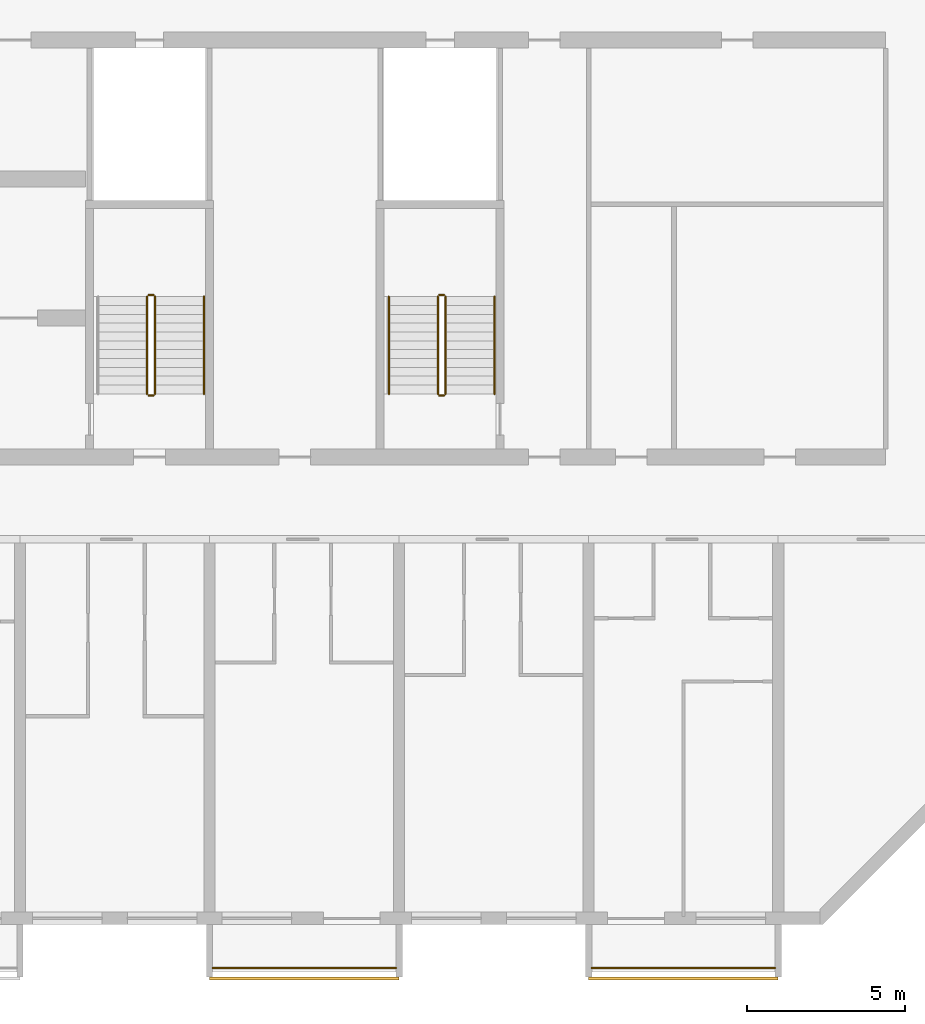
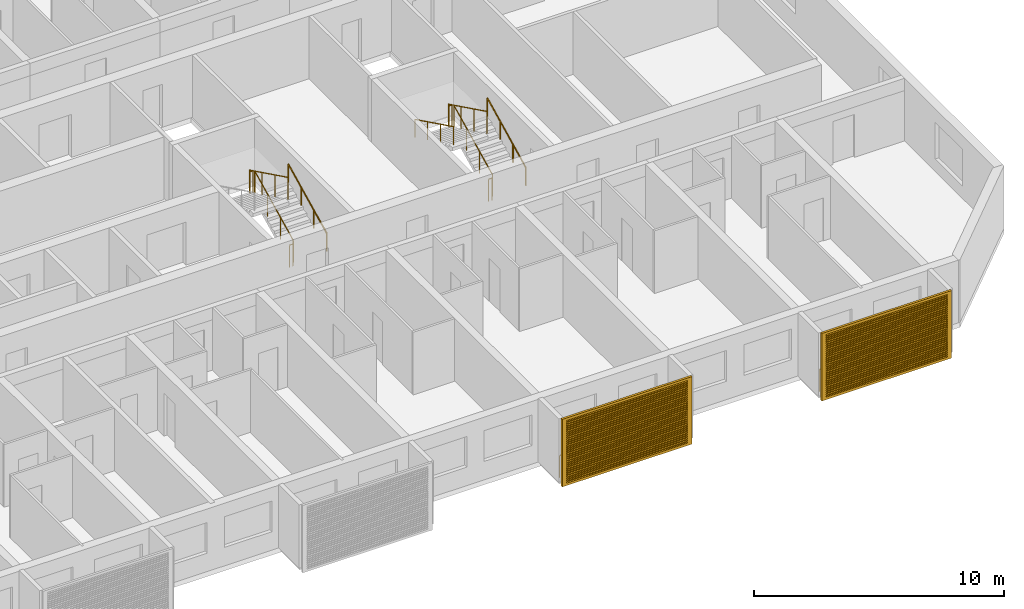
# One storey, part 23 of 27: 13 railings, 2 shading devices.
"""IFC4 building model written with IfcOpenShell, lengths in metres."""

import ifcopenshell
import ifcopenshell.guid

model = None  # the IFC model being written
_history = None  # IfcOwnerHistory: only IFC2X3 demands one
_inside = {}  # id of a spatial element -> (the spatial element, [elements in it])
_under = {}  # id of a project, library or spatial element -> (it, [spatial elements below it])
_declared = {}  # id of a project -> (the project, [libraries it declares])
_typed = {}  # id of a type object -> (the type object, [elements of that type])
_made_of = {}  # id of a material, layer set ... -> (it, [elements and type objects made of it])


def new_model(schema):
    """Start an empty IFC model of exactly this schema.

    Asked for "IFC4X3", IfcOpenShell would pick the latest addendum, in which some entities
    have other attributes; the version numbers below select the first issue.
    IFC2X3 requires an IfcOwnerHistory on every rooted entity: one is made here for all.
    """
    global model, _history
    if schema == "IFC4X3":
        model = ifcopenshell.file(schema_version=(4, 3, 0, 0))
    else:
        model = ifcopenshell.file(schema=schema)
    _inside.clear()
    _under.clear()
    _declared.clear()
    _typed.clear()
    _made_of.clear()
    _history = None
    if model.schema == "IFC2X3":
        org = make("IfcOrganization", Name="unknown")
        user = make(
            "IfcPersonAndOrganization",
            ThePerson=make("IfcPerson", FamilyName="unknown"),
            TheOrganization=org,
        )
        app = make(
            "IfcApplication",
            ApplicationDeveloper=org,
            Version="unknown",
            ApplicationFullName="unknown",
            ApplicationIdentifier="unknown",
        )
        _history = make(
            "IfcOwnerHistory",
            OwningUser=user,
            OwningApplication=app,
            ChangeAction="ADDED",
            CreationDate=0,
        )
    return model


def make(cls, **values):
    """One entity of the class cls with the attributes given. An attribute that is None is left unset."""
    return model.create_entity(
        cls, **{name: value for name, value in values.items() if value is not None}
    )


def rooted(cls, **values):
    """An entity with a GlobalId (a new one), such as an element, a storey or a relation."""
    return make(cls, GlobalId=ifcopenshell.guid.new(), OwnerHistory=_history, **values)


def si_unit(unit_type, name, prefix=None):
    """IfcSIUnit, for example si_unit("LENGTHUNIT", "METRE", prefix="MILLI")."""
    return make("IfcSIUnit", UnitType=unit_type, Prefix=prefix, Name=name)


def assignment(units):
    """IfcUnitAssignment: the units of a project."""
    return None if units is None else make("IfcUnitAssignment", Units=units)


def point(xyz):
    """IfcCartesianPoint."""
    return None if xyz is None else make("IfcCartesianPoint", Coordinates=xyz)


def direction(xyz):
    """IfcDirection."""
    return None if xyz is None else make("IfcDirection", DirectionRatios=xyz)


def frame(location, z_axis=None, x_axis=None):
    """IfcAxis2Placement3D, a coordinate frame: its origin and axes. An axis left out is left unset."""
    return make(
        "IfcAxis2Placement3D",
        Location=point(location),
        Axis=direction(z_axis),
        RefDirection=direction(x_axis),
    )


def frame_2d(location, x_axis=None):
    """IfcAxis2Placement2D, a coordinate frame in the plane: its origin and x axis."""
    return make(
        "IfcAxis2Placement2D", Location=point(location), RefDirection=direction(x_axis)
    )


def origin():
    """The frame at (0, 0, 0) with its axes left unset."""
    return frame((0.0, 0.0, 0.0))


def origin_2d():
    """The frame at (0, 0) in the plane with its x axis left unset."""
    return frame_2d((0.0, 0.0))


def place(relative_to, where):
    """IfcLocalPlacement: puts the frame where relative to a parent placement (None: the world)."""
    return make(
        "IfcLocalPlacement", PlacementRelTo=relative_to, RelativePlacement=where
    )


def context(
    kind, dimensions, precision=None, world=None, true_north=None, identifier=None
):
    """IfcGeometricRepresentationContext, for example the 3D "Model" context."""
    return make(
        "IfcGeometricRepresentationContext",
        ContextIdentifier=identifier,
        ContextType=kind,
        CoordinateSpaceDimension=dimensions,
        Precision=precision,
        WorldCoordinateSystem=world,
        TrueNorth=true_north,
    )


def subcontext(parent, identifier, kind, view, scale=None):
    """IfcGeometricRepresentationSubContext, for example "Body" below "Model"."""
    return make(
        "IfcGeometricRepresentationSubContext",
        ContextIdentifier=identifier,
        ContextType=kind,
        ParentContext=parent,
        TargetScale=scale,
        TargetView=view,
    )


def project(units=None, contexts=None):
    """IfcProject with its units and contexts."""
    return rooted(
        "IfcProject",
        Name="project",
        RepresentationContexts=contexts,
        UnitsInContext=assignment(units),
    )


def spatial(cls, under=None, at=None, **own):
    """A site, building, storey or space (cls), placed at a placement, below another one or the project."""
    s = rooted(cls, ObjectPlacement=at, **own)
    if under is not None:
        _under.setdefault(under.id(), (under, []))[1].append(s)
    return s


def polyline(points):
    """IfcPolyline through the points."""
    return make("IfcPolyline", Points=[point(p) for p in points])


def profile(cls, at=None, kind="AREA", **sizes):
    """A parametric profile (cls). Its sizes go by their IFC names, for example OverallWidth=200.0."""
    return make(cls, ProfileType=kind, Position=at, **sizes)


def circle(**sizes):
    """IfcCircleProfileDef."""
    return profile("IfcCircleProfileDef", **sizes)


def outline(outer, holes=None, kind="AREA"):
    """IfcArbitraryClosedProfileDef: a profile drawn as a closed curve; with holes, ...WithVoids."""
    if holes is None:
        return make("IfcArbitraryClosedProfileDef", ProfileType=kind, OuterCurve=outer)
    return make(
        "IfcArbitraryProfileDefWithVoids",
        ProfileType=kind,
        OuterCurve=outer,
        InnerCurves=holes,
    )


def extrude(swept, where, along, depth):
    """IfcExtrudedAreaSolid: the profile swept, set in the frame where, extruded along a direction by depth."""
    return make(
        "IfcExtrudedAreaSolid",
        SweptArea=swept,
        Position=where,
        ExtrudedDirection=direction(along),
        Depth=depth,
    )


def shape(context_of_items, identifier, shape_type, items):
    """IfcShapeRepresentation: the items that make up one representation, for example the "Body"."""
    return make(
        "IfcShapeRepresentation",
        ContextOfItems=context_of_items,
        RepresentationIdentifier=identifier,
        RepresentationType=shape_type,
        Items=items,
    )


def source(mapping_origin, context_of_items, identifier, shape_type, items):
    """IfcRepresentationMap: a shape defined once, which mapped items show again and again."""
    return make(
        "IfcRepresentationMap",
        MappingOrigin=mapping_origin,
        MappedRepresentation=shape(context_of_items, identifier, shape_type, items),
    )


def transform(
    local_origin,
    x_axis=None,
    y_axis=None,
    z_axis=None,
    scale=None,
    scale2=None,
    scale3=None,
    uniform=True,
):
    """IfcCartesianTransformationOperator3D, or its non-uniform kind. x_axis, y_axis, z_axis: its Axis1, 2, 3."""
    if uniform:
        return make(
            "IfcCartesianTransformationOperator3D",
            Axis1=direction(x_axis),
            Axis2=direction(y_axis),
            LocalOrigin=point(local_origin),
            Scale=scale,
            Axis3=direction(z_axis),
        )
    return make(
        "IfcCartesianTransformationOperator3DnonUniform",
        Axis1=direction(x_axis),
        Axis2=direction(y_axis),
        LocalOrigin=point(local_origin),
        Scale=scale,
        Axis3=direction(z_axis),
        Scale2=scale2,
        Scale3=scale3,
    )


def mapped(mapping_source, mapping_target):
    """IfcMappedItem: shows the shape of a source again, moved by a transform."""
    return make(
        "IfcMappedItem", MappingSource=mapping_source, MappingTarget=mapping_target
    )


def material(Name=None, Category=None):
    """IfcMaterial."""
    return make("IfcMaterial", Name=Name, Category=Category)


def material_profile(
    of_material, cross_section, Name=None, Category=None, Priority=None
):
    """IfcMaterialProfile: a cross section and its material."""
    return make(
        "IfcMaterialProfile",
        Name=Name,
        Material=of_material,
        Profile=cross_section,
        Priority=Priority,
        Category=Category,
    )


def profile_set(profiles, Name=None, composite=None):
    """IfcMaterialProfileSet."""
    return make(
        "IfcMaterialProfileSet",
        Name=Name,
        MaterialProfiles=profiles,
        CompositeProfile=composite,
    )


def made_of(thing, what):
    """Note that an element or type object is made of a material, layer set ...; save() writes the relation."""
    if what is not None:
        _made_of.setdefault(what.id(), (what, []))[1].append(thing)
    return thing


def type_object(cls, material=None, **own):
    """A type object (cls), such as IfcWallType, which elements share."""
    return made_of(rooted(cls, **own), material)


def element(
    cls,
    number,
    at=None,
    inside=None,
    cuts=None,
    type_object=None,
    material=None,
    context=None,
    identifier="Body",
    shape_type=None,
    held_by="IfcProductDefinitionShape",
    body=None,
    shapes=None,
    **own,
):
    """One element of the class cls, such as IfcWall. Its Tag is "e" and its number.

    at: its placement. inside: the storey or other place that contains it. cuts: it is an
    opening in that element (IfcRelVoidsElement). A single representation is given by context,
    identifier, shape_type and body (its items); several are given by shapes. held_by: the class
    of the entity that holds the representations. save() writes the other relations.
    """
    e = rooted(cls, Tag="e%d" % number, ObjectPlacement=at, **own)
    if body is not None:
        shapes = [shape(context, identifier, shape_type, body)]
    if shapes is not None:
        e.Representation = make(held_by, Representations=shapes)
    if inside is not None:
        _inside.setdefault(inside.id(), (inside, []))[1].append(e)
    if cuts is not None:
        rooted(
            "IfcRelVoidsElement", RelatingBuildingElement=cuts, RelatedOpeningElement=e
        )
    if type_object is not None:
        _typed.setdefault(type_object.id(), (type_object, []))[1].append(e)
    return made_of(e, material)


def aggregate(whole, parts):
    """IfcRelAggregates: a whole, such as a stair, and the parts it consists of."""
    return rooted("IfcRelAggregates", RelatingObject=whole, RelatedObjects=parts)


def save(model, path):
    """Write the relations noted so far, then the file.

    IfcRelAggregates (storeys below a building ...), IfcRelContainedInSpatialStructure (elements
    in a storey), IfcRelDefinesByType, IfcRelAssociatesMaterial and IfcRelDeclares: one each for
    every whole, place, type object, material and project.
    """
    for whole, parts in _under.values():
        aggregate(whole, parts)
    for where, things in _inside.values():
        rooted(
            "IfcRelContainedInSpatialStructure",
            RelatedElements=things,
            RelatingStructure=where,
        )
    for kind, things in _typed.values():
        rooted("IfcRelDefinesByType", RelatedObjects=things, RelatingType=kind)
    for what, things in _made_of.values():
        rooted("IfcRelAssociatesMaterial", RelatedObjects=things, RelatingMaterial=what)
    for by, libraries in _declared.values():
        rooted("IfcRelDeclares", RelatingContext=by, RelatedDefinitions=libraries)
    model.write(path)


model = new_model("IFC4")

# Units and contexts
model_context = context("Model", 3, precision=1e-05, world=origin(), true_north=direction((0.0, 1.0)))
body_context = subcontext(model_context, "Body", "Model", "MODEL_VIEW")
ifc_project = project(units=[si_unit("LENGTHUNIT", "METRE"), si_unit("AREAUNIT", "SQUARE_METRE"), si_unit("VOLUMEUNIT", "CUBIC_METRE"), si_unit("PLANEANGLEUNIT", "RADIAN"), si_unit("MASSUNIT", "GRAM", prefix="KILO")], contexts=[model_context])

# Site, building, storey
site_placement = place(None, origin())
site = spatial("IfcSite", under=ifc_project, at=site_placement, CompositionType="ELEMENT")
building_placement = place(site_placement, origin())
building = spatial("IfcBuilding", under=site, at=building_placement, Name="Poui Terraces", CompositionType="ELEMENT")
storey_placement = place(building_placement, frame((0.0, 0.0, 92.699951171875)))
storey = spatial("IfcBuildingStorey", under=building, at=storey_placement, Name="L25", CompositionType="ELEMENT", Elevation=92.699951171875)

# Railings
ifc_material_1 = material(Name="Painted steel fretwork", Category="steel")
railing_type_1 = type_object("IfcRailingType", Name="BALCONY GUARD 1100", PredefinedType="GUARDRAIL", material=ifc_material_1)
for number, where, name in (
    (1, (72.10009765625, -1.570068359375, 0.0), "BALCONY GUARD"),
    (2, (84.10009765625, -1.570068359375, 0.0), "BALCONY GUARD"),
):
    element("IfcRailing", number, at=place(storey_placement, frame(where)), inside=storey, type_object=railing_type_1, Name=name, PredefinedType="GUARDRAIL", context=body_context, shape_type="SweptSolid", body=[
        extrude(circle(Radius=0.02392578125, at=origin_2d()), frame((0.0, 0.0, 1.076171875), z_axis=(1.0, 0.0, 0.0), x_axis=(0.0, 1.0, 0.0)), (0.0, 0.0, 1.0), 5.7998046875),
        extrude(circle(Radius=0.02099609375, at=origin_2d()), origin(), (0.0, 0.0, 1.0), 1.052001953125),
        extrude(circle(Radius=0.02099609375, at=origin_2d()), frame((0.966552734375, 0.0, 0.0)), (0.0, 0.0, 1.0), 1.052001953125),
        extrude(circle(Radius=0.02099609375, at=origin_2d()), frame((1.933349609375, 0.0, 0.0)), (0.0, 0.0, 1.0), 1.052001953125),
        extrude(circle(Radius=0.02099609375, at=origin_2d()), frame((2.89990234375, 0.0, 0.0)), (0.0, 0.0, 1.0), 1.052001953125),
        extrude(circle(Radius=0.02099609375, at=origin_2d()), frame((3.866455078125, 0.0, 0.0)), (0.0, 0.0, 1.0), 1.052001953125),
        extrude(circle(Radius=0.02099609375, at=origin_2d()), frame((4.833251953125, 0.0, 0.0)), (0.0, 0.0, 1.0), 1.052001953125),
        extrude(circle(Radius=0.02099609375, at=origin_2d()), frame((5.7998046875, 0.0, 0.0)), (0.0, 0.0, 1.0), 1.052001953125),
    ])
ifc_material_2 = material(Name="Galvanised steel balustrade", Category="steel")
railing_type_2 = type_object("IfcRailingType", Name="STAIR GUARD 1100", PredefinedType="GUARDRAIL", material=ifc_material_2)
railing_1_placement = place(storey_placement, frame((70.27490234375, 16.60009765625, 0.137451171875)))
element("IfcRailing", 3, at=railing_1_placement, inside=storey, type_object=railing_type_2, Name="L25 ST-CE stair guard 1", PredefinedType="GUARDRAIL", context=body_context, shape_type="SweptSolid", body=[
    extrude(circle(Radius=0.02392578125, at=origin_2d()), frame((0.0, 0.0, 1.076171875), z_axis=(0.0, 0.897578036475, 0.440855609512), x_axis=(-1.0, 0.0, 0.0)), (0.0, 0.0, 1.0), 3.43115234375),
    extrude(circle(Radius=0.02099609375, at=origin_2d()), origin(), (0.0, 0.0, 1.0), 1.052001953125),
    extrude(circle(Radius=0.02099609375, at=origin_2d()), frame((0.0, 1.026611328125, 0.504150390625)), (0.0, 0.0, 1.0), 1.052001953125),
    extrude(circle(Radius=0.02099609375, at=origin_2d()), frame((0.0, 2.05322265625, 1.008544921875)), (0.0, 0.0, 1.0), 1.052001953125),
    extrude(circle(Radius=0.02099609375, at=origin_2d()), frame((0.0, 3.079833984375, 1.5126953125)), (0.0, 0.0, 1.0), 1.052001953125),
])
railing_2_placement = place(storey_placement, frame((70.22509765625, 19.72998046875, 1.650146484375)))
element("IfcRailing", 4, at=railing_2_placement, inside=storey, type_object=railing_type_2, Name="L25 ST-CE stair guard 2", PredefinedType="GUARDRAIL", context=body_context, shape_type="SweptSolid", body=[
    extrude(circle(Radius=0.02392578125, at=origin_2d()), frame((0.0, 0.0, 1.076171875), z_axis=(-1.0, 0.0, 0.0), x_axis=(0.0, -1.0, 0.0)), (0.0, 0.0, 1.0), 0.150146484375),
    extrude(circle(Radius=0.02099609375, at=origin_2d()), origin(), (0.0, 0.0, 1.0), 1.052001953125),
    extrude(circle(Radius=0.02099609375, at=origin_2d()), frame((-0.150146484375, 0.0, 0.0)), (0.0, 0.0, 1.0), 1.052001953125),
])
railing_3_placement = place(storey_placement, frame((70.02490234375, 19.679931640625, 1.78759765625)))
element("IfcRailing", 5, at=railing_3_placement, inside=storey, type_object=railing_type_2, Name="L25 ST-CE stair guard 3", PredefinedType="GUARDRAIL", context=body_context, shape_type="SweptSolid", body=[
    extrude(circle(Radius=0.02392578125, at=origin_2d()), frame((0.0, 0.0, 1.076171875), z_axis=(0.0, -0.897606190399, 0.440798283751), x_axis=(1.0, 0.0, 0.0)), (0.0, 0.0, 1.0), 3.43115234375),
    extrude(circle(Radius=0.02099609375, at=origin_2d()), origin(), (0.0, 0.0, 1.0), 1.052001953125),
    extrude(circle(Radius=0.02099609375, at=origin_2d()), frame((0.0, -1.026611328125, 0.504150390625)), (0.0, 0.0, 1.0), 1.052001953125),
    extrude(circle(Radius=0.02099609375, at=origin_2d()), frame((0.0, -2.05322265625, 1.00830078125)), (0.0, 0.0, 1.0), 1.052001953125),
    extrude(circle(Radius=0.02099609375, at=origin_2d()), frame((0.0, -3.079833984375, 1.512451171875)), (0.0, 0.0, 1.0), 1.052001953125),
])
railing_4_placement = place(storey_placement, frame((70.22509765625, 16.550048828125, 0.0)))
element("IfcRailing", 6, at=railing_4_placement, inside=storey, type_object=railing_type_2, Name="L25 ST-CE stair guard 4", PredefinedType="GUARDRAIL", context=body_context, shape_type="SweptSolid", body=[
    extrude(circle(Radius=0.02392578125, at=origin_2d()), frame((0.0, 0.0, 1.076171875), z_axis=(-1.0, 0.0, 0.0), x_axis=(0.0, -1.0, 0.0)), (0.0, 0.0, 1.0), 0.150146484375),
    extrude(circle(Radius=0.02099609375, at=origin_2d()), origin(), (0.0, 0.0, 1.0), 1.052001953125),
    extrude(circle(Radius=0.02099609375, at=origin_2d()), frame((-0.150146484375, 0.0, 0.0)), (0.0, 0.0, 1.0), 1.052001953125),
])
railing_5_placement = place(storey_placement, frame((79.47509765625, 16.60009765625, 0.137451171875)))
element("IfcRailing", 7, at=railing_5_placement, inside=storey, type_object=railing_type_2, Name="L25 ST-E stair guard 1", PredefinedType="GUARDRAIL", context=body_context, shape_type="SweptSolid", body=[
    extrude(circle(Radius=0.02392578125, at=origin_2d()), frame((0.0, 0.0, 1.076171875), z_axis=(0.0, 0.897578036475, 0.440855609512), x_axis=(-1.0, 0.0, 0.0)), (0.0, 0.0, 1.0), 3.43115234375),
    extrude(circle(Radius=0.02099609375, at=origin_2d()), origin(), (0.0, 0.0, 1.0), 1.052001953125),
    extrude(circle(Radius=0.02099609375, at=origin_2d()), frame((0.0, 1.026611328125, 0.504150390625)), (0.0, 0.0, 1.0), 1.052001953125),
    extrude(circle(Radius=0.02099609375, at=origin_2d()), frame((0.0, 2.05322265625, 1.008544921875)), (0.0, 0.0, 1.0), 1.052001953125),
    extrude(circle(Radius=0.02099609375, at=origin_2d()), frame((0.0, 3.079833984375, 1.5126953125)), (0.0, 0.0, 1.0), 1.052001953125),
])
railing_6_placement = place(storey_placement, frame((79.425048828125, 19.72998046875, 1.650146484375)))
element("IfcRailing", 8, at=railing_6_placement, inside=storey, type_object=railing_type_2, Name="L25 ST-E stair guard 2", PredefinedType="GUARDRAIL", context=body_context, shape_type="SweptSolid", body=[
    extrude(circle(Radius=0.02392578125, at=origin_2d()), frame((0.0, 0.0, 1.076171875), z_axis=(-1.0, 0.0, 0.0), x_axis=(0.0, -1.0, 0.0)), (0.0, 0.0, 1.0), 0.150146484375),
    extrude(circle(Radius=0.02099609375, at=origin_2d()), origin(), (0.0, 0.0, 1.0), 1.052001953125),
    extrude(circle(Radius=0.02099609375, at=origin_2d()), frame((-0.150146484375, 0.0, 0.0)), (0.0, 0.0, 1.0), 1.052001953125),
])
railing_7_placement = place(storey_placement, frame((79.22509765625, 19.679931640625, 1.78759765625)))
element("IfcRailing", 9, at=railing_7_placement, inside=storey, type_object=railing_type_2, Name="L25 ST-E stair guard 3", PredefinedType="GUARDRAIL", context=body_context, shape_type="SweptSolid", body=[
    extrude(circle(Radius=0.02392578125, at=origin_2d()), frame((0.0, 0.0, 1.076171875), z_axis=(0.0, -0.897606190399, 0.440798283751), x_axis=(1.0, 0.0, 0.0)), (0.0, 0.0, 1.0), 3.43115234375),
    extrude(circle(Radius=0.02099609375, at=origin_2d()), origin(), (0.0, 0.0, 1.0), 1.052001953125),
    extrude(circle(Radius=0.02099609375, at=origin_2d()), frame((0.0, -1.026611328125, 0.504150390625)), (0.0, 0.0, 1.0), 1.052001953125),
    extrude(circle(Radius=0.02099609375, at=origin_2d()), frame((0.0, -2.05322265625, 1.00830078125)), (0.0, 0.0, 1.0), 1.052001953125),
    extrude(circle(Radius=0.02099609375, at=origin_2d()), frame((0.0, -3.079833984375, 1.512451171875)), (0.0, 0.0, 1.0), 1.052001953125),
])
railing_8_placement = place(storey_placement, frame((79.425048828125, 16.550048828125, 0.0)))
element("IfcRailing", 10, at=railing_8_placement, inside=storey, type_object=railing_type_2, Name="L25 ST-E stair guard 4", PredefinedType="GUARDRAIL", context=body_context, shape_type="SweptSolid", body=[
    extrude(circle(Radius=0.02392578125, at=origin_2d()), frame((0.0, 0.0, 1.076171875), z_axis=(-1.0, 0.0, 0.0), x_axis=(0.0, -1.0, 0.0)), (0.0, 0.0, 1.0), 0.150146484375),
    extrude(circle(Radius=0.02099609375, at=origin_2d()), origin(), (0.0, 0.0, 1.0), 1.052001953125),
    extrude(circle(Radius=0.02099609375, at=origin_2d()), frame((-0.150146484375, 0.0, 0.0)), (0.0, 0.0, 1.0), 1.052001953125),
])
ifc_material_3 = material(Name="Stainless steel handrail", Category="steel")
railing_type_3 = type_object("IfcRailingType", Name="STAIR HANDRAIL 900", PredefinedType="HANDRAIL", material=ifc_material_3)
for number, where, name in (
    (11, (71.824951171875, 16.60009765625, 0.137451171875), "L25 ST-CE stair handrail 1"),
    (12, (81.02490234375, 16.60009765625, 0.137451171875), "L25 ST-E stair handrail 1"),
):
    element("IfcRailing", number, at=place(storey_placement, frame(where)), inside=storey, type_object=railing_type_3, Name=name, PredefinedType="HANDRAIL", context=body_context, shape_type="SweptSolid", body=[
        extrude(circle(Radius=0.02392578125, at=origin_2d()), frame((0.0, 0.0, 0.8759765625), z_axis=(0.0, 0.897578036475, 0.440855609512), x_axis=(-1.0, 0.0, 0.0)), (0.0, 0.0, 1.0), 3.43115234375),
        extrude(circle(Radius=0.02099609375, at=origin_2d()), origin(), (0.0, 0.0, 1.0), 0.851806640625),
        extrude(circle(Radius=0.02099609375, at=origin_2d()), frame((0.0, 1.026611328125, 0.504150390625)), (0.0, 0.0, 1.0), 0.851806640625),
        extrude(circle(Radius=0.02099609375, at=origin_2d()), frame((0.0, 2.05322265625, 1.008544921875)), (0.0, 0.0, 1.0), 0.851806640625),
        extrude(circle(Radius=0.02099609375, at=origin_2d()), frame((0.0, 3.079833984375, 1.5126953125)), (0.0, 0.0, 1.0), 0.851806640625),
    ])
railing_9_placement = place(storey_placement, frame((77.675048828125, 19.679931640625, 1.78759765625)))
element("IfcRailing", 13, at=railing_9_placement, inside=storey, type_object=railing_type_3, Name="L25 ST-E stair handrail 2", PredefinedType="HANDRAIL", context=body_context, shape_type="SweptSolid", body=[
    extrude(circle(Radius=0.02392578125, at=origin_2d()), frame((0.0, 0.0, 0.8759765625), z_axis=(0.0, -0.897606190399, 0.440798283751), x_axis=(1.0, 0.0, 0.0)), (0.0, 0.0, 1.0), 3.43115234375),
    extrude(circle(Radius=0.02099609375, at=origin_2d()), origin(), (0.0, 0.0, 1.0), 0.851806640625),
    extrude(circle(Radius=0.02099609375, at=origin_2d()), frame((0.0, -1.026611328125, 0.504150390625)), (0.0, 0.0, 1.0), 0.851806640625),
    extrude(circle(Radius=0.02099609375, at=origin_2d()), frame((0.0, -2.05322265625, 1.00830078125)), (0.0, 0.0, 1.0), 0.851806640625),
    extrude(circle(Radius=0.02099609375, at=origin_2d()), frame((0.0, -3.079833984375, 1.512451171875)), (0.0, 0.0, 1.0), 0.851806640625),
])

# Shading devices
ifc_material_4 = material(Name="Aluminium louvre", Category="aluminium")
ifc_material_profile = material_profile(ifc_material_4, outline(polyline([(-3.0, -1.64990234375), (3.0, -1.64990234375), (3.0, 1.64990234375), (-3.0, 1.64990234375), (-3.0, -1.64990234375)]), holes=[polyline([(-2.800048828125, -1.530029296875), (2.800048828125, -1.530029296875), (2.800048828125, -1.469970703125), (-2.800048828125, -1.469970703125), (-2.800048828125, -1.530029296875)]), polyline([(-2.800048828125, -1.429931640625), (2.800048828125, -1.429931640625), (2.800048828125, -1.3701171875), (-2.800048828125, -1.3701171875), (-2.800048828125, -1.429931640625)]), polyline([(-2.800048828125, -1.330078125), (2.800048828125, -1.330078125), (2.800048828125, -1.27001953125), (-2.800048828125, -1.27001953125), (-2.800048828125, -1.330078125)]), polyline([(-2.800048828125, -1.22998046875), (2.800048828125, -1.22998046875), (2.800048828125, -1.169921875), (-2.800048828125, -1.169921875), (-2.800048828125, -1.22998046875)]), polyline([(-2.800048828125, -1.1298828125), (2.800048828125, -1.1298828125), (2.800048828125, -1.070068359375), (-2.800048828125, -1.070068359375), (-2.800048828125, -1.1298828125)]), polyline([(-2.800048828125, -1.030029296875), (2.800048828125, -1.030029296875), (2.800048828125, -0.969970703125), (-2.800048828125, -0.969970703125), (-2.800048828125, -1.030029296875)]), polyline([(-2.800048828125, -0.929931640625), (2.800048828125, -0.929931640625), (2.800048828125, -0.8701171875), (-2.800048828125, -0.8701171875), (-2.800048828125, -0.929931640625)]), polyline([(-2.800048828125, -0.830078125), (2.800048828125, -0.830078125), (2.800048828125, -0.77001953125), (-2.800048828125, -0.77001953125), (-2.800048828125, -0.830078125)]), polyline([(-2.800048828125, -0.72998046875), (2.800048828125, -0.72998046875), (2.800048828125, -0.669921875), (-2.800048828125, -0.669921875), (-2.800048828125, -0.72998046875)]), polyline([(-2.800048828125, -0.6298828125), (2.800048828125, -0.6298828125), (2.800048828125, -0.570068359375), (-2.800048828125, -0.570068359375), (-2.800048828125, -0.6298828125)]), polyline([(-2.800048828125, -0.530029296875), (2.800048828125, -0.530029296875), (2.800048828125, -0.469970703125), (-2.800048828125, -0.469970703125), (-2.800048828125, -0.530029296875)]), polyline([(-2.800048828125, -0.429931640625), (2.800048828125, -0.429931640625), (2.800048828125, -0.3701171875), (-2.800048828125, -0.3701171875), (-2.800048828125, -0.429931640625)]), polyline([(-2.800048828125, -0.330078125), (2.800048828125, -0.330078125), (2.800048828125, -0.27001953125), (-2.800048828125, -0.27001953125), (-2.800048828125, -0.330078125)]), polyline([(-2.800048828125, -0.22998046875), (2.800048828125, -0.22998046875), (2.800048828125, -0.169921875), (-2.800048828125, -0.169921875), (-2.800048828125, -0.22998046875)]), polyline([(-2.800048828125, -0.1298828125), (2.800048828125, -0.1298828125), (2.800048828125, -0.070068359375), (-2.800048828125, -0.070068359375), (-2.800048828125, -0.1298828125)]), polyline([(-2.800048828125, -0.030029296875), (2.800048828125, -0.030029296875), (2.800048828125, 0.030029296875), (-2.800048828125, 0.030029296875), (-2.800048828125, -0.030029296875)]), polyline([(-2.800048828125, 0.070068359375), (2.800048828125, 0.070068359375), (2.800048828125, 0.1298828125), (-2.800048828125, 0.1298828125), (-2.800048828125, 0.070068359375)]), polyline([(-2.800048828125, 0.169921875), (2.800048828125, 0.169921875), (2.800048828125, 0.22998046875), (-2.800048828125, 0.22998046875), (-2.800048828125, 0.169921875)]), polyline([(-2.800048828125, 0.27001953125), (2.800048828125, 0.27001953125), (2.800048828125, 0.330078125), (-2.800048828125, 0.330078125), (-2.800048828125, 0.27001953125)]), polyline([(-2.800048828125, 0.3701171875), (2.800048828125, 0.3701171875), (2.800048828125, 0.429931640625), (-2.800048828125, 0.429931640625), (-2.800048828125, 0.3701171875)]), polyline([(-2.800048828125, 0.469970703125), (2.800048828125, 0.469970703125), (2.800048828125, 0.530029296875), (-2.800048828125, 0.530029296875), (-2.800048828125, 0.469970703125)]), polyline([(-2.800048828125, 0.570068359375), (2.800048828125, 0.570068359375), (2.800048828125, 0.6298828125), (-2.800048828125, 0.6298828125), (-2.800048828125, 0.570068359375)]), polyline([(-2.800048828125, 0.669921875), (2.800048828125, 0.669921875), (2.800048828125, 0.72998046875), (-2.800048828125, 0.72998046875), (-2.800048828125, 0.669921875)]), polyline([(-2.800048828125, 0.77001953125), (2.800048828125, 0.77001953125), (2.800048828125, 0.830078125), (-2.800048828125, 0.830078125), (-2.800048828125, 0.77001953125)]), polyline([(-2.800048828125, 0.8701171875), (2.800048828125, 0.8701171875), (2.800048828125, 0.929931640625), (-2.800048828125, 0.929931640625), (-2.800048828125, 0.8701171875)]), polyline([(-2.800048828125, 0.969970703125), (2.800048828125, 0.969970703125), (2.800048828125, 1.030029296875), (-2.800048828125, 1.030029296875), (-2.800048828125, 0.969970703125)]), polyline([(-2.800048828125, 1.070068359375), (2.800048828125, 1.070068359375), (2.800048828125, 1.1298828125), (-2.800048828125, 1.1298828125), (-2.800048828125, 1.070068359375)]), polyline([(-2.800048828125, 1.169921875), (2.800048828125, 1.169921875), (2.800048828125, 1.22998046875), (-2.800048828125, 1.22998046875), (-2.800048828125, 1.169921875)]), polyline([(-2.800048828125, 1.27001953125), (2.800048828125, 1.27001953125), (2.800048828125, 1.330078125), (-2.800048828125, 1.330078125), (-2.800048828125, 1.27001953125)]), polyline([(-2.800048828125, 1.3701171875), (2.800048828125, 1.3701171875), (2.800048828125, 1.429931640625), (-2.800048828125, 1.429931640625), (-2.800048828125, 1.3701171875)]), polyline([(-2.800048828125, 1.469970703125), (2.800048828125, 1.469970703125), (2.800048828125, 1.530029296875), (-2.800048828125, 1.530029296875), (-2.800048828125, 1.469970703125)])]), Name="JALOUSIE LOUVRE SHUTTER 6000X3300")
ifc_profile_set = profile_set([ifc_material_profile], Name="Aluminium louvre")
shading_device_type = type_object("IfcShadingDeviceType", Name="JALOUSIE LOUVRE SHUTTER 6000X3300", PredefinedType="JALOUSIE", material=ifc_profile_set)
shared_shape = source(origin(), body_context, "Body", "SweptSolid", [
    extrude(outline(polyline([(-3.0, -1.64990234375), (3.0, -1.64990234375), (3.0, 1.64990234375), (-3.0, 1.64990234375), (-3.0, -1.64990234375)]), holes=[polyline([(-2.800048828125, -1.530029296875), (2.800048828125, -1.530029296875), (2.800048828125, -1.469970703125), (-2.800048828125, -1.469970703125), (-2.800048828125, -1.530029296875)]), polyline([(-2.800048828125, -1.429931640625), (2.800048828125, -1.429931640625), (2.800048828125, -1.3701171875), (-2.800048828125, -1.3701171875), (-2.800048828125, -1.429931640625)]), polyline([(-2.800048828125, -1.330078125), (2.800048828125, -1.330078125), (2.800048828125, -1.27001953125), (-2.800048828125, -1.27001953125), (-2.800048828125, -1.330078125)]), polyline([(-2.800048828125, -1.22998046875), (2.800048828125, -1.22998046875), (2.800048828125, -1.169921875), (-2.800048828125, -1.169921875), (-2.800048828125, -1.22998046875)]), polyline([(-2.800048828125, -1.1298828125), (2.800048828125, -1.1298828125), (2.800048828125, -1.070068359375), (-2.800048828125, -1.070068359375), (-2.800048828125, -1.1298828125)]), polyline([(-2.800048828125, -1.030029296875), (2.800048828125, -1.030029296875), (2.800048828125, -0.969970703125), (-2.800048828125, -0.969970703125), (-2.800048828125, -1.030029296875)]), polyline([(-2.800048828125, -0.929931640625), (2.800048828125, -0.929931640625), (2.800048828125, -0.8701171875), (-2.800048828125, -0.8701171875), (-2.800048828125, -0.929931640625)]), polyline([(-2.800048828125, -0.830078125), (2.800048828125, -0.830078125), (2.800048828125, -0.77001953125), (-2.800048828125, -0.77001953125), (-2.800048828125, -0.830078125)]), polyline([(-2.800048828125, -0.72998046875), (2.800048828125, -0.72998046875), (2.800048828125, -0.669921875), (-2.800048828125, -0.669921875), (-2.800048828125, -0.72998046875)]), polyline([(-2.800048828125, -0.6298828125), (2.800048828125, -0.6298828125), (2.800048828125, -0.570068359375), (-2.800048828125, -0.570068359375), (-2.800048828125, -0.6298828125)]), polyline([(-2.800048828125, -0.530029296875), (2.800048828125, -0.530029296875), (2.800048828125, -0.469970703125), (-2.800048828125, -0.469970703125), (-2.800048828125, -0.530029296875)]), polyline([(-2.800048828125, -0.429931640625), (2.800048828125, -0.429931640625), (2.800048828125, -0.3701171875), (-2.800048828125, -0.3701171875), (-2.800048828125, -0.429931640625)]), polyline([(-2.800048828125, -0.330078125), (2.800048828125, -0.330078125), (2.800048828125, -0.27001953125), (-2.800048828125, -0.27001953125), (-2.800048828125, -0.330078125)]), polyline([(-2.800048828125, -0.22998046875), (2.800048828125, -0.22998046875), (2.800048828125, -0.169921875), (-2.800048828125, -0.169921875), (-2.800048828125, -0.22998046875)]), polyline([(-2.800048828125, -0.1298828125), (2.800048828125, -0.1298828125), (2.800048828125, -0.070068359375), (-2.800048828125, -0.070068359375), (-2.800048828125, -0.1298828125)]), polyline([(-2.800048828125, -0.030029296875), (2.800048828125, -0.030029296875), (2.800048828125, 0.030029296875), (-2.800048828125, 0.030029296875), (-2.800048828125, -0.030029296875)]), polyline([(-2.800048828125, 0.070068359375), (2.800048828125, 0.070068359375), (2.800048828125, 0.1298828125), (-2.800048828125, 0.1298828125), (-2.800048828125, 0.070068359375)]), polyline([(-2.800048828125, 0.169921875), (2.800048828125, 0.169921875), (2.800048828125, 0.22998046875), (-2.800048828125, 0.22998046875), (-2.800048828125, 0.169921875)]), polyline([(-2.800048828125, 0.27001953125), (2.800048828125, 0.27001953125), (2.800048828125, 0.330078125), (-2.800048828125, 0.330078125), (-2.800048828125, 0.27001953125)]), polyline([(-2.800048828125, 0.3701171875), (2.800048828125, 0.3701171875), (2.800048828125, 0.429931640625), (-2.800048828125, 0.429931640625), (-2.800048828125, 0.3701171875)]), polyline([(-2.800048828125, 0.469970703125), (2.800048828125, 0.469970703125), (2.800048828125, 0.530029296875), (-2.800048828125, 0.530029296875), (-2.800048828125, 0.469970703125)]), polyline([(-2.800048828125, 0.570068359375), (2.800048828125, 0.570068359375), (2.800048828125, 0.6298828125), (-2.800048828125, 0.6298828125), (-2.800048828125, 0.570068359375)]), polyline([(-2.800048828125, 0.669921875), (2.800048828125, 0.669921875), (2.800048828125, 0.72998046875), (-2.800048828125, 0.72998046875), (-2.800048828125, 0.669921875)]), polyline([(-2.800048828125, 0.77001953125), (2.800048828125, 0.77001953125), (2.800048828125, 0.830078125), (-2.800048828125, 0.830078125), (-2.800048828125, 0.77001953125)]), polyline([(-2.800048828125, 0.8701171875), (2.800048828125, 0.8701171875), (2.800048828125, 0.929931640625), (-2.800048828125, 0.929931640625), (-2.800048828125, 0.8701171875)]), polyline([(-2.800048828125, 0.969970703125), (2.800048828125, 0.969970703125), (2.800048828125, 1.030029296875), (-2.800048828125, 1.030029296875), (-2.800048828125, 0.969970703125)]), polyline([(-2.800048828125, 1.070068359375), (2.800048828125, 1.070068359375), (2.800048828125, 1.1298828125), (-2.800048828125, 1.1298828125), (-2.800048828125, 1.070068359375)]), polyline([(-2.800048828125, 1.169921875), (2.800048828125, 1.169921875), (2.800048828125, 1.22998046875), (-2.800048828125, 1.22998046875), (-2.800048828125, 1.169921875)]), polyline([(-2.800048828125, 1.27001953125), (2.800048828125, 1.27001953125), (2.800048828125, 1.330078125), (-2.800048828125, 1.330078125), (-2.800048828125, 1.27001953125)]), polyline([(-2.800048828125, 1.3701171875), (2.800048828125, 1.3701171875), (2.800048828125, 1.429931640625), (-2.800048828125, 1.429931640625), (-2.800048828125, 1.3701171875)]), polyline([(-2.800048828125, 1.469970703125), (2.800048828125, 1.469970703125), (2.800048828125, 1.530029296875), (-2.800048828125, 1.530029296875), (-2.800048828125, 1.469970703125)])]), origin(), (0.0, 0.0, 1.0), 0.099853515625),
])
for number, where, z_axis, x_axis, name in (
    (14, (75.0, -1.85009765625, 1.449951171875), (0.0, -1.0, 0.0), (1.0, 0.0, 0.0), "JALOUSIE LOUVRE SHUTTER"),
    (15, (87.0, -1.85009765625, 1.449951171875), (0.0, -1.0, 0.0), (1.0, 0.0, 0.0), "JALOUSIE LOUVRE SHUTTER"),
):
    element("IfcShadingDevice", number, at=place(storey_placement, frame(where, z_axis=z_axis, x_axis=x_axis)), inside=storey, type_object=shading_device_type, Name=name, PredefinedType="JALOUSIE", context=body_context, shape_type="MappedRepresentation", body=[
        mapped(shared_shape, transform((0.0, 0.0, 0.0))),
    ])

save(model, "model.ifc")
